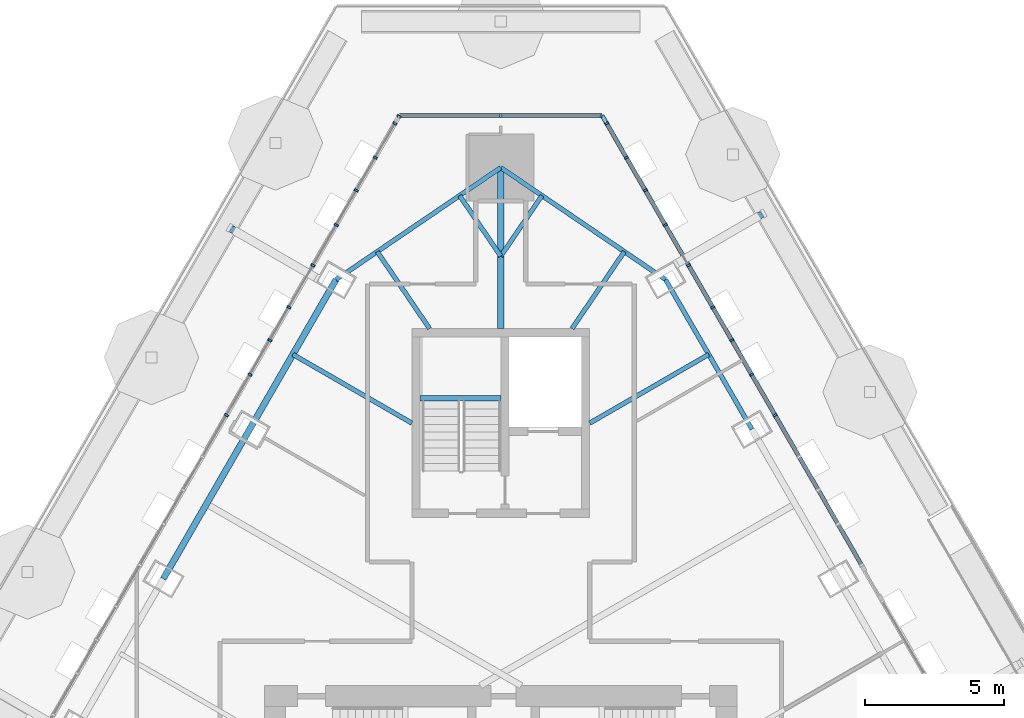
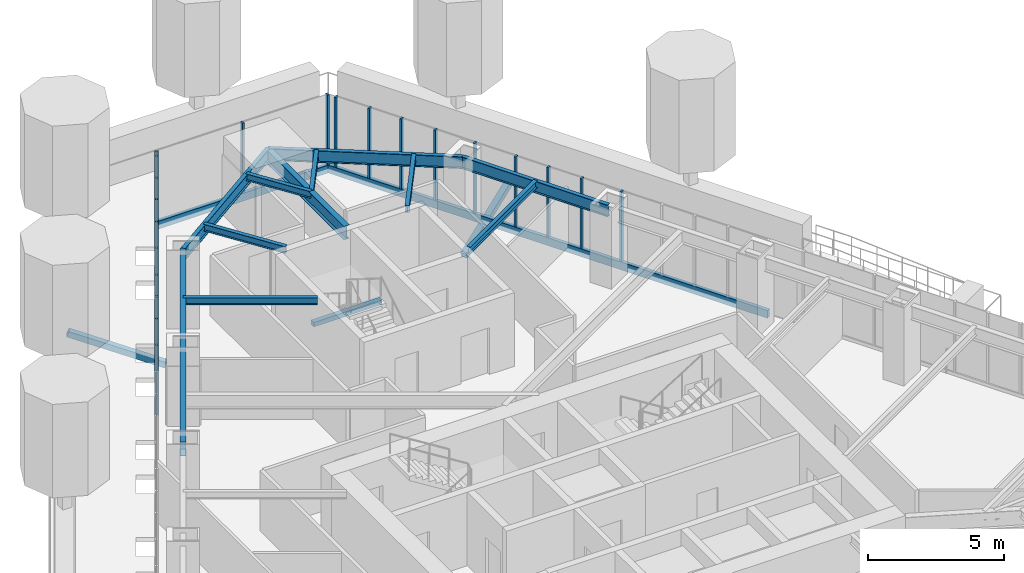
# One storey, part 9 of 22: 25 members, 12 beams, 3 elements without a shape of their own.
"""IFC4 building model written with IfcOpenShell, lengths in metres."""

from ifc_helpers import new_model, si_unit, direction, frame, origin, origin_2d, place, context, subcontext, project, spatial, rectangle, hollow_rectangle, i_section, extrude, material, layer, layer_set, material_profile, profile_set, type_object, element, aggregate, save


model = new_model("IFC4")

# Units and contexts
model_context = context("Model", 3, precision=1e-05, world=origin(), true_north=direction((0.0, 1.0)))
body_context = subcontext(model_context, "Body", "Model", "MODEL_VIEW")
ifc_project = project(units=[si_unit("LENGTHUNIT", "METRE"), si_unit("AREAUNIT", "SQUARE_METRE"), si_unit("VOLUMEUNIT", "CUBIC_METRE"), si_unit("PLANEANGLEUNIT", "RADIAN"), si_unit("MASSUNIT", "GRAM", prefix="KILO")], contexts=[model_context])

# Site, building, storey
site_placement = place(None, origin())
site = spatial("IfcSite", under=ifc_project, at=site_placement, CompositionType="ELEMENT")
building_placement = place(site_placement, origin())
building = spatial("IfcBuilding", under=site, at=building_placement, Name="Firuza Gate Tower and Library", CompositionType="ELEMENT")
storey_placement = place(building_placement, frame((0.0, 0.0, 295.10009765625)))
storey = spatial("IfcBuildingStorey", under=building, at=storey_placement, Name="L71", CompositionType="ELEMENT", Elevation=295.10009765625)

# Curtain wall, members
ifc_material_1 = material(Name="Aluminium 6063-T6", Category="aluminium")
ifc_layer_1 = layer(ifc_material_1, 0.14990234375)
ifc_layer_set_1 = layer_set([ifc_layer_1], Name="Unitised curtain wall, residences")
curtain_wall_type_1 = type_object("IfcCurtainWallType", Name="Unitised curtain wall, residences", PredefinedType="NOTDEFINED", material=ifc_layer_set_1)
placement = place(storey_placement, origin())
curtain_wall_1 = element("IfcCurtainWall", 1, at=placement, inside=storey, type_object=curtain_wall_type_1, Name="CW3 L71 E face", PredefinedType="NOTDEFINED")
ifc_material_2 = material(Name="Aluminium 6063-T6", Category="aluminium")
ifc_material_profile_1 = material_profile(ifc_material_2, rectangle(XDim=0.14990234375, YDim=0.080078125, at=origin_2d()))
ifc_profile_set_1 = profile_set([ifc_material_profile_1], Name="Aluminium 6063-T6")
member_type_1 = type_object("IfcMemberType", Name="Curtain wall mullion 80x150", PredefinedType="MULLION", material=ifc_profile_set_1)
member_1_placement = place(storey_placement, frame((84.868896484375, 91.481201171875, 0.14990234375), z_axis=(0.0, 0.0, 1.0), x_axis=(-0.866025403784, -0.5, 0.0)))
member_1 = element("IfcMember", 2, at=member_1_placement, type_object=member_type_1, Name="Mullion", PredefinedType="MULLION", context=body_context, shape_type="SweptSolid", body=[
    extrude(rectangle(XDim=0.14990234375, YDim=0.080078125, at=origin_2d()), origin(), (0.0, 0.0, 1.0), 3.14990234375),
])
member_2_placement = place(storey_placement, frame((83.3125, 94.177001953125, 0.14990234375), z_axis=(0.0, 0.0, 1.0), x_axis=(-0.866025403784, -0.5, 0.0)))
member_2 = element("IfcMember", 3, at=member_2_placement, type_object=member_type_1, Name="Mullion", PredefinedType="MULLION", context=body_context, shape_type="SweptSolid", body=[
    extrude(rectangle(XDim=0.14990234375, YDim=0.080078125, at=origin_2d()), origin(), (0.0, 0.0, 1.0), 3.14990234375),
])
member_3_placement = place(storey_placement, frame((81.756103515625, 96.872802734375, 0.14990234375), z_axis=(0.0, 0.0, 1.0), x_axis=(-0.866025403784, -0.5, 0.0)))
member_3 = element("IfcMember", 4, at=member_3_placement, type_object=member_type_1, Name="Mullion", PredefinedType="MULLION", context=body_context, shape_type="SweptSolid", body=[
    extrude(rectangle(XDim=0.14990234375, YDim=0.080078125, at=origin_2d()), origin(), (0.0, 0.0, 1.0), 3.14990234375),
])
member_4_placement = place(storey_placement, frame((80.19970703125, 99.568603515625, 0.14990234375), z_axis=(0.0, 0.0, 1.0), x_axis=(-0.866025403784, -0.5, 0.0)))
member_4 = element("IfcMember", 5, at=member_4_placement, type_object=member_type_1, Name="Mullion", PredefinedType="MULLION", context=body_context, shape_type="SweptSolid", body=[
    extrude(rectangle(XDim=0.14990234375, YDim=0.080078125, at=origin_2d()), origin(), (0.0, 0.0, 1.0), 3.14990234375),
])
member_5_placement = place(storey_placement, frame((84.024169921875, 92.9443359375, 0.14990234375), z_axis=(0.0, 0.0, 1.0), x_axis=(-0.866025403784, -0.5, 0.0)))
member_5 = element("IfcMember", 6, at=member_5_placement, type_object=member_type_1, Name="Mullion", PredefinedType="MULLION", context=body_context, shape_type="SweptSolid", body=[
    extrude(rectangle(XDim=0.14990234375, YDim=0.080078125, at=origin_2d()), origin(), (0.0, 0.0, 1.0), 3.14990234375),
])
member_6_placement = place(storey_placement, frame((82.625732421875, 95.36669921875, 0.14990234375), z_axis=(0.0, 0.0, 1.0), x_axis=(-0.866025403784, -0.5, 0.0)))
member_6 = element("IfcMember", 7, at=member_6_placement, type_object=member_type_1, Name="Mullion", PredefinedType="MULLION", context=body_context, shape_type="SweptSolid", body=[
    extrude(rectangle(XDim=0.14990234375, YDim=0.080078125, at=origin_2d()), origin(), (0.0, 0.0, 1.0), 3.14990234375),
])
member_7_placement = place(storey_placement, frame((80.91748046875, 98.3251953125, 0.14990234375), z_axis=(0.0, 0.0, 1.0), x_axis=(-0.866025403784, -0.5, 0.0)))
member_7 = element("IfcMember", 8, at=member_7_placement, type_object=member_type_1, Name="Mullion", PredefinedType="MULLION", context=body_context, shape_type="SweptSolid", body=[
    extrude(rectangle(XDim=0.14990234375, YDim=0.080078125, at=origin_2d()), origin(), (0.0, 0.0, 1.0), 3.14990234375),
])
member_8_placement = place(storey_placement, frame((79.51904296875, 100.74755859375, 0.14990234375), z_axis=(0.0, 0.0, 1.0), x_axis=(-0.866025403784, -0.5, 0.0)))
member_8 = element("IfcMember", 9, at=member_8_placement, type_object=member_type_1, Name="Mullion", PredefinedType="MULLION", context=body_context, shape_type="SweptSolid", body=[
    extrude(rectangle(XDim=0.14990234375, YDim=0.080078125, at=origin_2d()), origin(), (0.0, 0.0, 1.0), 3.14990234375),
])
member_9_placement = place(storey_placement, frame((78.808837890625, 101.9775390625, 0.14990234375), z_axis=(0.0, 0.0, 1.0), x_axis=(-0.866025403784, -0.5, 0.0)))
member_9 = element("IfcMember", 10, at=member_9_placement, type_object=member_type_1, Name="Mullion", PredefinedType="MULLION", context=body_context, shape_type="SweptSolid", body=[
    extrude(rectangle(XDim=0.14990234375, YDim=0.080078125, at=origin_2d()), origin(), (0.0, 0.0, 1.0), 3.14990234375),
])

ifc_material_3 = material(Name="Aluminium 6063-T6", Category="aluminium")
ifc_layer_2 = layer(ifc_material_3, 0.14990234375)
ifc_layer_set_2 = layer_set([ifc_layer_2], Name="Corner curtain wall, chamfers")
curtain_wall_type_2 = type_object("IfcCurtainWallType", Name="Corner curtain wall, chamfers", PredefinedType="NOTDEFINED", material=ifc_layer_set_2)
curtain_wall_2 = element("IfcCurtainWall", 11, at=placement, inside=storey, type_object=curtain_wall_type_2, Name="CW4 L71 N corner", PredefinedType="NOTDEFINED")
member_10_placement = place(storey_placement, frame((78.603271484375, 102.264404296875, 0.14990234375), z_axis=(0.0, 0.0, 1.0), x_axis=(0.0, -1.0, 0.0)))
member_10 = element("IfcMember", 12, at=member_10_placement, type_object=member_type_1, Name="Mullion", PredefinedType="MULLION", context=body_context, shape_type="SweptSolid", body=[
    extrude(rectangle(XDim=0.14990234375, YDim=0.080078125, at=origin_2d()), origin(), (0.0, 0.0, 1.0), 3.14990234375),
])
member_11_placement = place(storey_placement, frame((75.0, 102.264404296875, 0.14990234375), z_axis=(0.0, 0.0, 1.0), x_axis=(0.0, -1.0, 0.0)))
member_11 = element("IfcMember", 13, at=member_11_placement, type_object=member_type_1, Name="Mullion", PredefinedType="MULLION", context=body_context, shape_type="SweptSolid", body=[
    extrude(rectangle(XDim=0.14990234375, YDim=0.080078125, at=origin_2d()), origin(), (0.0, 0.0, 1.0), 3.14990234375),
])

curtain_wall_3 = element("IfcCurtainWall", 14, at=placement, inside=storey, type_object=curtain_wall_type_1, Name="CW3 L71 W face", PredefinedType="NOTDEFINED")
member_12_placement = place(storey_placement, frame((71.336669921875, 102.229736328125, 0.14990234375), z_axis=(0.0, 0.0, 1.0), x_axis=(0.866025403784, -0.5, 0.0)))
member_12 = element("IfcMember", 15, at=member_12_placement, type_object=member_type_1, Name="Mullion", PredefinedType="MULLION", context=body_context, shape_type="SweptSolid", body=[
    extrude(rectangle(XDim=0.14990234375, YDim=0.080078125, at=origin_2d()), origin(), (0.0, 0.0, 1.0), 3.14990234375),
])
member_13_placement = place(storey_placement, frame((69.80029296875, 99.568603515625, 0.14990234375), z_axis=(0.0, 0.0, 1.0), x_axis=(0.866025403784, -0.5, 0.0)))
member_13 = element("IfcMember", 16, at=member_13_placement, type_object=member_type_1, Name="Mullion", PredefinedType="MULLION", context=body_context, shape_type="SweptSolid", body=[
    extrude(rectangle(XDim=0.14990234375, YDim=0.080078125, at=origin_2d()), origin(), (0.0, 0.0, 1.0), 3.14990234375),
])
member_14_placement = place(storey_placement, frame((68.243896484375, 96.872802734375, 0.14990234375), z_axis=(0.0, 0.0, 1.0), x_axis=(0.866025403784, -0.5, 0.0)))
member_14 = element("IfcMember", 17, at=member_14_placement, type_object=member_type_1, Name="Mullion", PredefinedType="MULLION", context=body_context, shape_type="SweptSolid", body=[
    extrude(rectangle(XDim=0.14990234375, YDim=0.080078125, at=origin_2d()), origin(), (0.0, 0.0, 1.0), 3.14990234375),
])
member_15_placement = place(storey_placement, frame((66.6875, 94.177001953125, 0.14990234375), z_axis=(0.0, 0.0, 1.0), x_axis=(0.866025403784, -0.5, 0.0)))
member_15 = element("IfcMember", 18, at=member_15_placement, type_object=member_type_1, Name="Mullion", PredefinedType="MULLION", context=body_context, shape_type="SweptSolid", body=[
    extrude(rectangle(XDim=0.14990234375, YDim=0.080078125, at=origin_2d()), origin(), (0.0, 0.0, 1.0), 3.14990234375),
])
member_16_placement = place(storey_placement, frame((65.131103515625, 91.481201171875, 0.14990234375), z_axis=(0.0, 0.0, 1.0), x_axis=(0.866025403784, -0.5, 0.0)))
member_16 = element("IfcMember", 19, at=member_16_placement, type_object=member_type_1, Name="Mullion", PredefinedType="MULLION", context=body_context, shape_type="SweptSolid", body=[
    extrude(rectangle(XDim=0.14990234375, YDim=0.080078125, at=origin_2d()), origin(), (0.0, 0.0, 1.0), 3.14990234375),
])
member_17_placement = place(storey_placement, frame((71.191162109375, 101.9775390625, 0.14990234375), z_axis=(0.0, 0.0, 1.0), x_axis=(0.866025403784, -0.5, 0.0)))
member_17 = element("IfcMember", 20, at=member_17_placement, type_object=member_type_1, Name="Mullion", PredefinedType="MULLION", context=body_context, shape_type="SweptSolid", body=[
    extrude(rectangle(XDim=0.14990234375, YDim=0.080078125, at=origin_2d()), origin(), (0.0, 0.0, 1.0), 3.14990234375),
])
member_18_placement = place(storey_placement, frame((70.48095703125, 100.74755859375, 0.14990234375), z_axis=(0.0, 0.0, 1.0), x_axis=(0.866025403784, -0.5, 0.0)))
member_18 = element("IfcMember", 21, at=member_18_placement, type_object=member_type_1, Name="Mullion", PredefinedType="MULLION", context=body_context, shape_type="SweptSolid", body=[
    extrude(rectangle(XDim=0.14990234375, YDim=0.080078125, at=origin_2d()), origin(), (0.0, 0.0, 1.0), 3.14990234375),
])
member_19_placement = place(storey_placement, frame((69.08251953125, 98.3251953125, 0.14990234375), z_axis=(0.0, 0.0, 1.0), x_axis=(0.866025403784, -0.5, 0.0)))
member_19 = element("IfcMember", 22, at=member_19_placement, type_object=member_type_1, Name="Mullion", PredefinedType="MULLION", context=body_context, shape_type="SweptSolid", body=[
    extrude(rectangle(XDim=0.14990234375, YDim=0.080078125, at=origin_2d()), origin(), (0.0, 0.0, 1.0), 3.14990234375),
])
member_20_placement = place(storey_placement, frame((67.374267578125, 95.36669921875, 0.14990234375), z_axis=(0.0, 0.0, 1.0), x_axis=(0.866025403784, -0.5, 0.0)))
member_20 = element("IfcMember", 23, at=member_20_placement, type_object=member_type_1, Name="Mullion", PredefinedType="MULLION", context=body_context, shape_type="SweptSolid", body=[
    extrude(rectangle(XDim=0.14990234375, YDim=0.080078125, at=origin_2d()), origin(), (0.0, 0.0, 1.0), 3.14990234375),
])
member_21_placement = place(storey_placement, frame((65.975830078125, 92.9443359375, 0.14990234375), z_axis=(0.0, 0.0, 1.0), x_axis=(0.866025403784, -0.5, 0.0)))
member_21 = element("IfcMember", 24, at=member_21_placement, type_object=member_type_1, Name="Mullion", PredefinedType="MULLION", context=body_context, shape_type="SweptSolid", body=[
    extrude(rectangle(XDim=0.14990234375, YDim=0.080078125, at=origin_2d()), origin(), (0.0, 0.0, 1.0), 3.14990234375),
])
aggregate(curtain_wall_3, [member_12, member_13, member_14, member_15, member_16, member_17, member_18, member_19, member_20, member_21])

# Member
ifc_material_4 = material(Name="Aluminium 6063-T6", Category="aluminium")
ifc_material_profile_2 = material_profile(ifc_material_4, rectangle(XDim=0.14990234375, YDim=0.35009765625, at=origin_2d()))
ifc_profile_set_2 = profile_set([ifc_material_profile_2], Name="Aluminium 6063-T6")
member_type_2 = type_object("IfcMemberType", Name="Curtain wall transom 350x150", PredefinedType="USERDEFINED", material=ifc_profile_set_2)
member_22_placement = place(storey_placement, frame((87.98193359375, 86.089599609375, -0.025146484375), z_axis=(-0.500003823117, 0.866023196496, 0.0), x_axis=(-0.866023196496, -0.500003823117, 0.0)))
member_22 = element("IfcMember", 25, at=member_22_placement, type_object=member_type_2, Name="Transom", ObjectType="TRANSOM", PredefinedType="USERDEFINED", context=body_context, shape_type="SweptSolid", body=[
    extrude(rectangle(XDim=0.14990234375, YDim=0.35009765625, at=origin_2d()), origin(), (0.0, 0.0, 1.0), 18.677001953125),
])

aggregate(curtain_wall_1, [member_1, member_2, member_3, member_4, member_22, member_5, member_6, member_7, member_8, member_9])

member_23_placement = place(storey_placement, frame((78.643310546875, 102.264404296875, -0.025146484375), z_axis=(-1.0, 0.0, 0.0), x_axis=(0.0, -1.0, 0.0)))
member_23 = element("IfcMember", 26, at=member_23_placement, type_object=member_type_2, Name="Transom", ObjectType="TRANSOM", PredefinedType="USERDEFINED", context=body_context, shape_type="SweptSolid", body=[
    extrude(rectangle(XDim=0.14990234375, YDim=0.35009765625, at=origin_2d()), origin(), (0.0, 0.0, 1.0), 7.28662109375),
])

aggregate(curtain_wall_2, [member_10, member_11, member_23])

# Members
ifc_material_5 = material(Name="Steel S355", Category="steel")
ifc_material_profile_3 = material_profile(ifc_material_5, hollow_rectangle(XDim=0.25390625, YDim=0.25390625, WallThickness=0.01171875, at=origin_2d()))
ifc_profile_set_3 = profile_set([ifc_material_profile_3], Name="Steel S355")
member_type_3 = type_object("IfcMemberType", Name="HSS254x254x13 Tray strut", PredefinedType="BRACE", material=ifc_profile_set_3)
for number, where, z_axis, x_axis, name in (
    (27, (81.3271484375, 96.935791015625, -1.670166015625), (0.807122458648, 0.466007352202, 0.362478253747), (-0.500012057535, 0.866018442252, 0.0), "Tray strut L71 col:L70:E6"),
    (28, (68.372802734375, 96.416015625, -1.670166015625), (-0.807122458648, 0.466007352202, 0.362478253747), (-0.500012057535, -0.866018442252, 0.0), "Tray strut L71 col:L70:W1"),
):
    element("IfcMember", number, at=place(storey_placement, frame(where, z_axis=z_axis, x_axis=x_axis)), inside=storey, type_object=member_type_3, Name=name, PredefinedType="BRACE", context=body_context, shape_type="SweptSolid", body=[
        extrude(hollow_rectangle(XDim=0.25390625, YDim=0.25390625, WallThickness=0.01171875, at=origin_2d()), origin(), (0.0, 0.0, 1.0), 3.86279296875),
    ])

# Beams
ifc_material_6 = material(Name="Concrete C35/45", Category="concrete")
ifc_material_profile_4 = material_profile(ifc_material_6, rectangle(XDim=0.199951171875, YDim=0.199951171875, at=origin_2d()))
ifc_profile_set_4 = profile_set([ifc_material_profile_4], Name="Concrete C35/45")
beam_type_1 = type_object("IfcBeamType", Name="Stair landing bearer 200x200", PredefinedType="BEAM", material=ifc_profile_set_4)
beam_1_placement = place(storey_placement, frame((75.0, 92.090087890625, 1.449951171875), z_axis=(-1.0, 0.0, 0.0), x_axis=(0.0, -1.0, 0.0)))
element("IfcBeam", 29, at=beam_1_placement, inside=storey, type_object=beam_type_1, Name="Landing bearer L71 stair 3", PredefinedType="BEAM", context=body_context, shape_type="SweptSolid", body=[
    extrude(rectangle(XDim=0.199951171875, YDim=0.199951171875, at=origin_2d()), origin(), (0.0, 0.0, 1.0), 2.89990234375),
])
ifc_material_7 = material(Name="Steel S355", Category="steel")
ifc_material_profile_5 = material_profile(ifc_material_7, i_section(OverallWidth=0.1650390625, OverallDepth=0.31005859375, WebThickness=0.005859375, FlangeThickness=0.009765625, at=origin_2d()))
ifc_profile_set_5 = profile_set([ifc_material_profile_5], Name="Steel S355")
beam_type_2 = type_object("IfcBeamType", Name="W310x39 Floor beam", PredefinedType="JOIST", material=ifc_profile_set_5)
beam_2_placement = place(storey_placement, frame((82.48046875, 93.66796875, 3.14501953125), z_axis=(-0.866018608066, -0.500011770345, 0.0), x_axis=(0.500011770345, -0.866018608066, 0.0)))
element("IfcBeam", 30, at=beam_2_placement, inside=storey, type_object=beam_type_2, Name="Floor beam L71 s54", PredefinedType="JOIST", context=body_context, shape_type="SweptSolid", body=[
    extrude(i_section(OverallWidth=0.1650390625, OverallDepth=0.31005859375, WebThickness=0.005859375, FlangeThickness=0.009765625, at=origin_2d()), origin(), (0.0, 0.0, 1.0), 4.94287109375),
])
beam_3_placement = place(storey_placement, frame((79.4453125, 97.3662109375, 3.14501953125), z_axis=(-0.562339965146, -0.826906139534, 0.0), x_axis=(0.826906139534, -0.562339965146, 0.0)))
element("IfcBeam", 31, at=beam_3_placement, inside=storey, type_object=beam_type_2, Name="Floor beam L71 s60", PredefinedType="JOIST", context=body_context, shape_type="SweptSolid", body=[
    extrude(i_section(OverallWidth=0.1650390625, OverallDepth=0.31005859375, WebThickness=0.005859375, FlangeThickness=0.009765625, at=origin_2d()), origin(), (0.0, 0.0, 1.0), 3.34521484375),
])
for number, where, z_axis, x_axis, name in (
    (32, (76.481689453125, 99.381591796875, 3.14501953125), (-0.562310021407, -0.82692650207, 0.0), (0.82692650207, -0.562310021407, 0.0), "Floor beam L71 s61"),
    (33, (73.518310546875, 99.381591796875, 3.14501953125), (0.562310021407, -0.82692650207, 0.0), (0.82692650207, 0.562310021407, 0.0), "Floor beam L71 s70"),
):
    element("IfcBeam", number, at=place(storey_placement, frame(where, z_axis=z_axis, x_axis=x_axis)), inside=storey, type_object=beam_type_2, Name=name, PredefinedType="JOIST", context=body_context, shape_type="SweptSolid", body=[
        extrude(i_section(OverallWidth=0.1650390625, OverallDepth=0.31005859375, WebThickness=0.005859375, FlangeThickness=0.009765625, at=origin_2d()), origin(), (0.0, 0.0, 1.0), 2.635009765625),
    ])
beam_4_placement = place(storey_placement, frame((70.5546875, 97.3662109375, 3.14501953125), z_axis=(0.562339965146, -0.826906139534, 0.0), x_axis=(0.826906139534, 0.562339965146, 0.0)))
element("IfcBeam", 34, at=beam_4_placement, inside=storey, type_object=beam_type_2, Name="Floor beam L71 s71", PredefinedType="JOIST", context=body_context, shape_type="SweptSolid", body=[
    extrude(i_section(OverallWidth=0.1650390625, OverallDepth=0.31005859375, WebThickness=0.005859375, FlangeThickness=0.009765625, at=origin_2d()), origin(), (0.0, 0.0, 1.0), 3.34521484375),
])
beam_5_placement = place(storey_placement, frame((67.51953125, 93.66796875, 3.14501953125), z_axis=(0.866018608066, -0.500011770345, 0.0), x_axis=(0.500011770345, 0.866018608066, 0.0)))
element("IfcBeam", 35, at=beam_5_placement, inside=storey, type_object=beam_type_2, Name="Floor beam L71 s80", PredefinedType="JOIST", context=body_context, shape_type="SweptSolid", body=[
    extrude(i_section(OverallWidth=0.1650390625, OverallDepth=0.31005859375, WebThickness=0.005859375, FlangeThickness=0.009765625, at=origin_2d()), origin(), (0.0, 0.0, 1.0), 4.94287109375),
])
ifc_material_8 = material(Name="Steel S355", Category="steel")
ifc_material_profile_6 = material_profile(ifc_material_8, i_section(OverallWidth=0.166015625, OverallDepth=0.534912109375, WebThickness=0.01025390625, FlangeThickness=0.0166015625, at=origin_2d()))
ifc_profile_set_6 = profile_set([ifc_material_profile_6], Name="Steel S355")
beam_type_3 = type_object("IfcBeamType", Name="W530x85 Edge beam", PredefinedType="SPANDREL", material=ifc_profile_set_6)
beam_6_placement = place(storey_placement, frame((84.033935546875, 90.9775390625, 3.032470703125), z_axis=(-0.500005895944, 0.866021999733, 0.0), x_axis=(-0.866021999733, -0.500005895944, 0.0)))
element("IfcBeam", 36, at=beam_6_placement, inside=storey, type_object=beam_type_3, Name="Edge beam L71 e54", PredefinedType="SPANDREL", context=body_context, shape_type="SweptSolid", body=[
    extrude(i_section(OverallWidth=0.166015625, OverallDepth=0.534912109375, WebThickness=0.01025390625, FlangeThickness=0.0166015625, at=origin_2d()), origin(), (0.0, 0.0, 1.0), 6.21337890625),
])
for number, where, z_axis, x_axis, name in (
    (37, (80.92724609375, 96.3583984375, 3.032470703125), (-0.826895459752, 0.562355669164, 0.0), (-0.562355669164, -0.826895459752, 0.0), "Edge beam L71 e60"),
    (38, (75.0, 100.389404296875, 3.032470703125), (-0.826895459752, -0.562355669164, 0.0), (0.562355669164, -0.826895459752, 0.0), "Edge beam L71 e70"),
):
    element("IfcBeam", number, at=place(storey_placement, frame(where, z_axis=z_axis, x_axis=x_axis)), inside=storey, type_object=beam_type_3, Name=name, PredefinedType="SPANDREL", context=body_context, shape_type="SweptSolid", body=[
        extrude(i_section(OverallWidth=0.166015625, OverallDepth=0.534912109375, WebThickness=0.01025390625, FlangeThickness=0.0166015625, at=origin_2d()), origin(), (0.0, 0.0, 1.0), 7.16796875),
    ])
ifc_material_9 = material(Name="Steel S355", Category="steel")
ifc_material_profile_7 = material_profile(ifc_material_9, i_section(OverallWidth=0.22802734375, OverallDepth=0.60302734375, WebThickness=0.010498046875, FlangeThickness=0.014892578125, at=origin_2d()))
ifc_profile_set_7 = profile_set([ifc_material_profile_7], Name="Steel S355")
beam_type_4 = type_object("IfcBeamType", Name="W610x101 Girder", PredefinedType="BEAM", material=ifc_profile_set_7)
beam_7_placement = place(storey_placement, frame((75.0, 100.389404296875, 2.998291015625), z_axis=(0.0, -1.0, 0.0), x_axis=(1.0, 0.0, 0.0)))
element("IfcBeam", 39, at=beam_7_placement, inside=storey, type_object=beam_type_4, Name="Girder L71 gN", PredefinedType="BEAM", context=body_context, shape_type="SweptSolid", body=[
    extrude(i_section(OverallWidth=0.22802734375, OverallDepth=0.60302734375, WebThickness=0.010498046875, FlangeThickness=0.014892578125, at=origin_2d()), origin(), (0.0, 0.0, 1.0), 5.789306640625),
])
ifc_material_10 = material(Name="Steel S355", Category="steel")
ifc_material_profile_8 = material_profile(ifc_material_10, i_section(OverallWidth=0.22900390625, OverallDepth=0.612060546875, WebThickness=0.011962890625, FlangeThickness=0.01953125, at=origin_2d()))
ifc_profile_set_8 = profile_set([ifc_material_profile_8], Name="Steel S355")
beam_type_5 = type_object("IfcBeamType", Name="W610x125 Edge beam", PredefinedType="SPANDREL", material=ifc_profile_set_8)
beam_8_placement = place(storey_placement, frame((69.07275390625, 96.3583984375, 2.993896484375), z_axis=(-0.500005895944, -0.866021999733, 0.0), x_axis=(0.866021999733, -0.500005895944, 0.0)))
element("IfcBeam", 40, at=beam_8_placement, inside=storey, type_object=beam_type_5, Name="Edge beam L71 e80", PredefinedType="SPANDREL", context=body_context, shape_type="SweptSolid", body=[
    extrude(i_section(OverallWidth=0.22900390625, OverallDepth=0.612060546875, WebThickness=0.011962890625, FlangeThickness=0.01953125, at=origin_2d()), origin(), (0.0, 0.0, 1.0), 12.426513671875),
])

save(model, "model.ifc")
